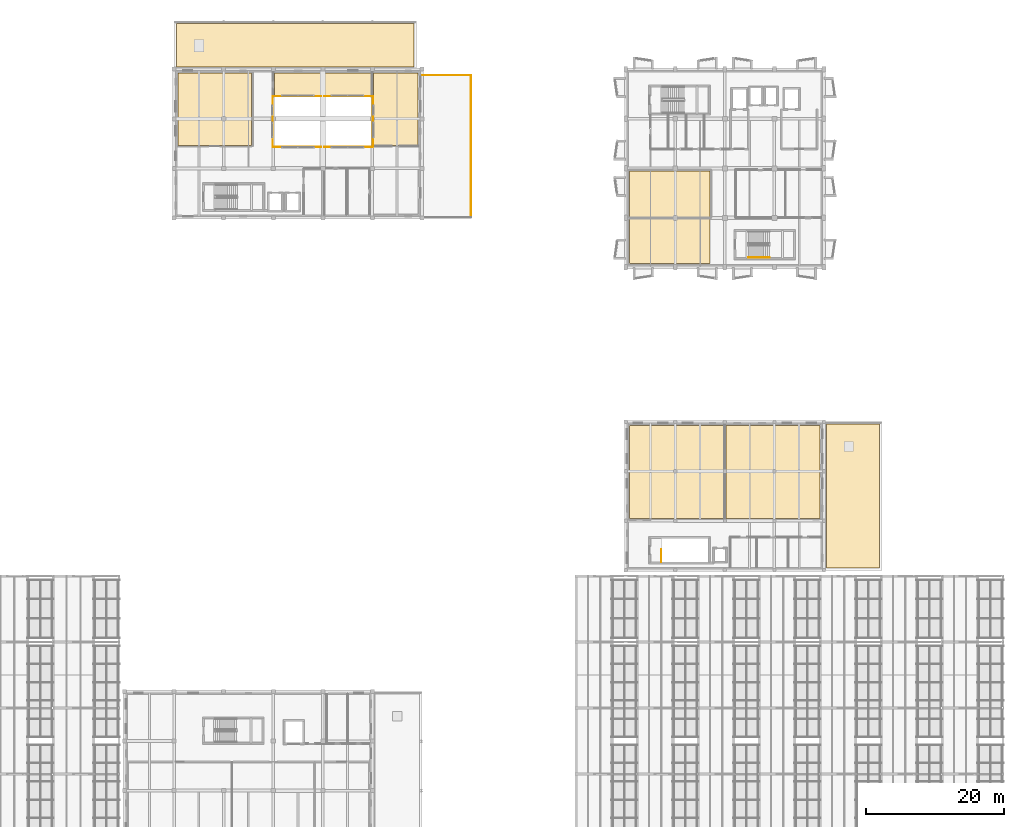
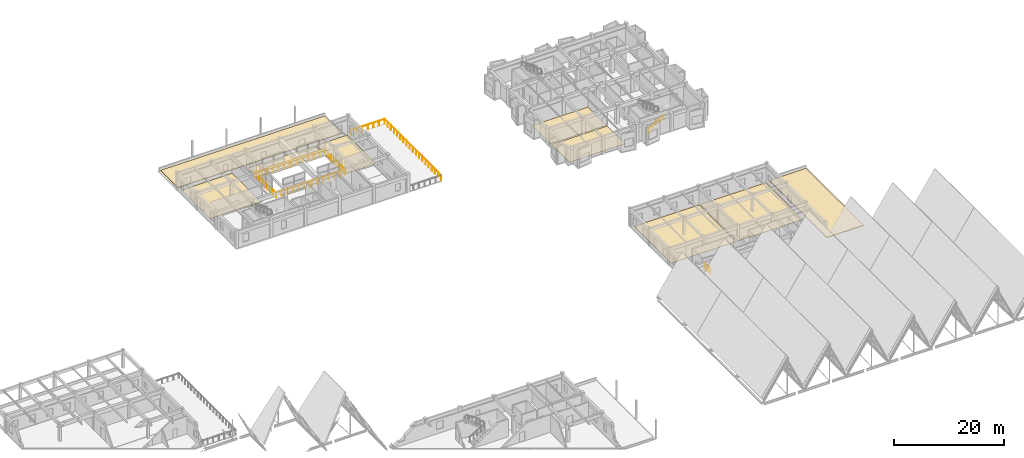
# One storey, part 98 of 99: 10 railings, 9 coverings.
"""IFC4 building model written with IfcOpenShell, lengths in metres."""

from ifc_helpers import new_model, si_unit, direction, frame, origin, origin_2d, place, context, subcontext, project, spatial, polyline, circle, outline, extrude, material, layer, layer_set, type_object, element, save


model = new_model("IFC4")

# Units and contexts
model_context = context("Model", 3, precision=1e-05, world=origin(), true_north=direction((0.0, 1.0)))
body_context = subcontext(model_context, "Body", "Model", "MODEL_VIEW")
ifc_project = project(units=[si_unit("LENGTHUNIT", "METRE"), si_unit("AREAUNIT", "SQUARE_METRE"), si_unit("VOLUMEUNIT", "CUBIC_METRE"), si_unit("PLANEANGLEUNIT", "RADIAN"), si_unit("MASSUNIT", "GRAM", prefix="KILO")], contexts=[model_context])

# Site, building, storey
site_placement = place(None, origin())
site = spatial("IfcSite", under=ifc_project, at=site_placement, CompositionType="ELEMENT")
building_placement = place(site_placement, origin())
building = spatial("IfcBuilding", under=site, at=building_placement, Name="Bramveld Media Centre", CompositionType="ELEMENT")
storey_placement = place(building_placement, frame((0.0, 0.0, 13.800048828125)))
storey = spatial("IfcBuildingStorey", under=building, at=storey_placement, Name="L03", CompositionType="ELEMENT", Elevation=13.800048828125)

# Coverings
ifc_material_1 = material(Name="Floating acoustic screed with smoked European oak studio flooring")
ifc_layer_1 = layer(ifc_material_1, 0.06494140625)
ifc_layer_set_1 = layer_set([ifc_layer_1], Name="Floating acoustic screed with smoked European oak studio flooring")
covering_type_1 = type_object("IfcCoveringType", Name="COV-FLOOR-01", PredefinedType="FLOORING", material=ifc_layer_set_1)
covering_1_placement = place(storey_placement, origin())
element("IfcCovering", 1, at=covering_1_placement, inside=storey, type_object=covering_type_1, Name="Documentary Production Studio B finish flooring", PredefinedType="FLOORING", context=body_context, shape_type="SweptSolid", body=[
    extrude(outline(polyline([(145.75, 46.75), (159.449951171875, 46.75), (159.449951171875, 60.25), (145.75, 60.25), (145.75, 46.75)])), origin(), (0.0, 0.0, 1.0), 0.06494140625),
])
covering_2_placement = place(storey_placement, origin())
element("IfcCovering", 2, at=covering_2_placement, inside=storey, type_object=covering_type_1, Name="North Atrium Overlook Gallery finish flooring", PredefinedType="FLOORING", context=body_context, shape_type="SweptSolid", body=[
    extrude(outline(polyline([(80.14990234375, 108.14990234375), (94.25, 108.14990234375), (94.25, 111.449951171875), (80.14990234375, 111.449951171875), (80.14990234375, 108.14990234375)])), origin(), (0.0, 0.0, 1.0), 0.06494140625),
])
ifc_material_2 = material(Name="Honed Belgian bluestone (petit granit) public concourse flooring", Category="masonry")
ifc_layer_2 = layer(ifc_material_2, 0.050048828125)
ifc_layer_set_2 = layer_set([ifc_layer_2], Name="Honed Belgian bluestone (petit granit) public concourse flooring")
covering_type_2 = type_object("IfcCoveringType", Name="COV-FLOOR-02", PredefinedType="FLOORING", material=ifc_layer_set_2)
covering_3_placement = place(storey_placement, origin())
element("IfcCovering", 3, at=covering_3_placement, inside=storey, type_object=covering_type_2, Name="Media Conservation Framing Studio finish flooring", PredefinedType="FLOORING", context=body_context, shape_type="SweptSolid", body=[
    extrude(outline(polyline([(94.550048828125, 100.949951171875), (101.050048828125, 100.949951171875), (101.050048828125, 111.449951171875), (94.550048828125, 111.449951171875), (94.550048828125, 100.949951171875)])), origin(), (0.0, 0.0, 1.0), 0.050048828125),
])
covering_4_placement = place(storey_placement, origin())
element("IfcCovering", 4, at=covering_4_placement, inside=storey, type_object=covering_type_2, Name="Co-Production Pitch Circulation Lobby finish flooring", PredefinedType="FLOORING", context=body_context, shape_type="SweptSolid", body=[
    extrude(outline(polyline([(131.75, 83.75), (143.449951171875, 83.75), (143.449951171875, 90.25), (131.75, 90.25), (131.75, 83.75)])), origin(), (0.0, 0.0, 1.0), 0.050048828125),
])
ifc_material_3 = material(Name="Anti-static acoustic linoleum editing & vault flooring")
ifc_layer_3 = layer(ifc_material_3, 0.0400390625)
ifc_layer_set_3 = layer_set([ifc_layer_3], Name="Anti-static acoustic linoleum editing & vault flooring")
covering_type_3 = type_object("IfcCoveringType", Name="COV-FLOOR-03", PredefinedType="FLOORING", material=ifc_layer_set_3)
covering_5_placement = place(storey_placement, origin())
element("IfcCovering", 5, at=covering_5_placement, inside=storey, type_object=covering_type_3, Name="Artist-in-Residence Editing Studio A finish flooring", PredefinedType="FLOORING", context=body_context, shape_type="SweptSolid", body=[
    extrude(outline(polyline([(131.75, 46.75), (145.449951171875, 46.75), (145.449951171875, 60.25), (131.75, 60.25), (131.75, 46.75)])), origin(), (0.0, 0.0, 1.0), 0.0400390625),
])
covering_6_placement = place(storey_placement, origin())
element("IfcCovering", 6, at=covering_6_placement, inside=storey, type_object=covering_type_3, Name="Temporary Media Biennale Gallery finish flooring", PredefinedType="FLOORING", context=body_context, shape_type="SweptSolid", body=[
    extrude(outline(polyline([(66.14990234375, 100.949951171875), (76.85009765625, 100.949951171875), (76.85009765625, 111.449951171875), (66.14990234375, 111.449951171875), (66.14990234375, 100.949951171875)])), origin(), (0.0, 0.0, 1.0), 0.0400390625),
])
covering_7_placement = place(storey_placement, origin())
element("IfcCovering", 7, at=covering_7_placement, inside=storey, type_object=covering_type_3, Name="Brussels Regional Media Incubator finish flooring", PredefinedType="FLOORING", context=body_context, shape_type="SweptSolid", body=[
    extrude(outline(polyline([(131.75, 90.550048828125), (143.449951171875, 90.550048828125), (143.449951171875, 97.25), (131.75, 97.25), (131.75, 90.550048828125)])), origin(), (0.0, 0.0, 1.0), 0.0400390625),
])
ifc_material_4 = material(Name="Vegetated extensive green-roof substrate and EPDM membrane")
ifc_layer_4 = layer(ifc_material_4, 0.139892578125)
ifc_layer_set_4 = layer_set([ifc_layer_4], Name="Vegetated extensive green-roof substrate and EPDM membrane")
covering_type_4 = type_object("IfcCoveringType", Name="COV-ROOF-GREEN", PredefinedType="ROOFING", material=ifc_layer_set_4)
covering_8_placement = place(storey_placement, origin())
element("IfcCovering", 8, at=covering_8_placement, inside=storey, type_object=covering_type_4, Name="V4 L03 vegetated green roof covering", PredefinedType="ROOFING", context=body_context, shape_type="SweptSolid", body=[
    extrude(outline(polyline([(160.35009765625, 39.550048828125), (168.050048828125, 39.550048828125), (168.050048828125, 60.449951171875), (160.35009765625, 60.449951171875), (160.35009765625, 39.550048828125)])), origin(), (0.0, 0.0, 1.0), 0.139892578125),
])
covering_9_placement = place(storey_placement, origin())
element("IfcCovering", 9, at=covering_9_placement, inside=storey, type_object=covering_type_4, Name="V6 L03 vegetated green roof covering", PredefinedType="ROOFING", context=body_context, shape_type="SweptSolid", body=[
    extrude(outline(polyline([(65.949951171875, 112.35009765625), (100.449951171875, 112.35009765625), (100.449951171875, 118.64990234375), (65.949951171875, 118.64990234375), (65.949951171875, 112.35009765625)])), origin(), (0.0, 0.0, 1.0), 0.139892578125),
])

# Railings
ifc_material_5 = material(Name="Laminated acoustic glass & bronze steel atrium balustrade", Category="steel")
railing_type_1 = type_object("IfcRailingType", Name="RAIL-ATRIUM-1180", PredefinedType="BALUSTRADE", material=ifc_material_5)
for number, where, name in (
    (10, (79.919921875, 100.719970703125, 0.0), "V6 L03 atrium edge balustrade S1"),
    (11, (87.419921875, 100.719970703125, 0.0), "V6 L03 atrium edge balustrade S2"),
    (12, (79.919921875, 108.080078125, 0.0), "V6 L03 atrium edge balustrade N1"),
    (13, (87.419921875, 108.080078125, 0.0), "V6 L03 atrium edge balustrade N2"),
):
    element("IfcRailing", number, at=place(storey_placement, frame(where)), inside=storey, type_object=railing_type_1, Name=name, PredefinedType="BALUSTRADE", context=body_context, shape_type="SweptSolid", body=[
        extrude(circle(Radius=0.02392578125, at=origin_2d()), frame((0.0, 0.0, 1.15576171875), z_axis=(1.0, 0.0, 0.0), x_axis=(0.0, 1.0, 0.0)), (0.0, 0.0, 1.0), 7.06005859375),
        extrude(circle(Radius=0.02099609375, at=origin_2d()), origin(), (0.0, 0.0, 1.0), 1.1318359375),
        extrude(circle(Radius=0.02099609375, at=origin_2d()), frame((1.1767578125, 0.0, 0.0)), (0.0, 0.0, 1.0), 1.1318359375),
        extrude(circle(Radius=0.02099609375, at=origin_2d()), frame((2.353271484375, 0.0, 0.0)), (0.0, 0.0, 1.0), 1.1318359375),
        extrude(circle(Radius=0.02099609375, at=origin_2d()), frame((3.530029296875, 0.0, 0.0)), (0.0, 0.0, 1.0), 1.1318359375),
        extrude(circle(Radius=0.02099609375, at=origin_2d()), frame((4.706787109375, 0.0, 0.0)), (0.0, 0.0, 1.0), 1.1318359375),
        extrude(circle(Radius=0.02099609375, at=origin_2d()), frame((5.88330078125, 0.0, 0.0)), (0.0, 0.0, 1.0), 1.1318359375),
        extrude(circle(Radius=0.02099609375, at=origin_2d()), frame((7.06005859375, 0.0, 0.0)), (0.0, 0.0, 1.0), 1.1318359375),
    ])
for number, where, name in (
    (14, (79.919921875, 100.719970703125, 0.0), "V6 L03 atrium edge balustrade W"),
    (15, (94.47998046875, 100.719970703125, 0.0), "V6 L03 atrium edge balustrade E"),
):
    element("IfcRailing", number, at=place(storey_placement, frame(where)), inside=storey, type_object=railing_type_1, Name=name, PredefinedType="BALUSTRADE", context=body_context, shape_type="SweptSolid", body=[
        extrude(circle(Radius=0.02392578125, at=origin_2d()), frame((0.0, 0.0, 1.15576171875), z_axis=(0.0, 1.0, 0.0), x_axis=(-1.0, 0.0, 0.0)), (0.0, 0.0, 1.0), 7.360107421875),
        extrude(circle(Radius=0.02099609375, at=origin_2d()), origin(), (0.0, 0.0, 1.0), 1.1318359375),
        extrude(circle(Radius=0.02099609375, at=origin_2d()), frame((0.0, 1.051513671875, 0.0)), (0.0, 0.0, 1.0), 1.1318359375),
        extrude(circle(Radius=0.02099609375, at=origin_2d()), frame((0.0, 2.102783203125, 0.0)), (0.0, 0.0, 1.0), 1.1318359375),
        extrude(circle(Radius=0.02099609375, at=origin_2d()), frame((0.0, 3.154296875, 0.0)), (0.0, 0.0, 1.0), 1.1318359375),
        extrude(circle(Radius=0.02099609375, at=origin_2d()), frame((0.0, 4.205810546875, 0.0)), (0.0, 0.0, 1.0), 1.1318359375),
        extrude(circle(Radius=0.02099609375, at=origin_2d()), frame((0.0, 5.25732421875, 0.0)), (0.0, 0.0, 1.0), 1.1318359375),
        extrude(circle(Radius=0.02099609375, at=origin_2d()), frame((0.0, 6.30859375, 0.0)), (0.0, 0.0, 1.0), 1.1318359375),
        extrude(circle(Radius=0.02099609375, at=origin_2d()), frame((0.0, 7.360107421875, 0.0)), (0.0, 0.0, 1.0), 1.1318359375),
    ])
ifc_material_6 = material(Name="Painted galvanized steel stairwell guardrail", Category="steel")
railing_type_2 = type_object("IfcRailingType", Name="RAIL-STAIR-GUARD-1150", PredefinedType="GUARDRAIL", material=ifc_material_6)
railing_1_placement = place(storey_placement, frame((136.35009765625, 40.39990234375, 0.0)))
element("IfcRailing", 16, at=railing_1_placement, inside=storey, type_object=railing_type_2, Name="L03 ST-08 top well guard 1", PredefinedType="GUARDRAIL", context=body_context, shape_type="SweptSolid", body=[
    extrude(circle(Radius=0.02392578125, at=origin_2d()), frame((0.0, 0.0, 1.1259765625), z_axis=(0.0, 1.0, 0.0), x_axis=(-1.0, 0.0, 0.0)), (0.0, 0.0, 1.0), 1.85009765625),
    extrude(circle(Radius=0.02099609375, at=origin_2d()), origin(), (0.0, 0.0, 1.0), 1.101806640625),
    extrude(circle(Radius=0.02099609375, at=origin_2d()), frame((0.0, 0.925048828125, 0.0)), (0.0, 0.0, 1.0), 1.101806640625),
    extrude(circle(Radius=0.02099609375, at=origin_2d()), frame((0.0, 1.85009765625, 0.0)), (0.0, 0.0, 1.0), 1.101806640625),
])
ifc_material_7 = material(Name="Brushed stainless steel tubular stair handrail", Category="steel")
railing_type_3 = type_object("IfcRailingType", Name="RAIL-STAIR-HAND-0920", PredefinedType="HANDRAIL", material=ifc_material_7)
railing_2_placement = place(storey_placement, frame((149.0, 84.64990234375, 0.175048828125)))
element("IfcRailing", 17, at=railing_2_placement, inside=storey, type_object=railing_type_3, Name="L03 ST-02 stair handrail 1", PredefinedType="HANDRAIL", context=body_context, shape_type="SweptSolid", body=[
    extrude(circle(Radius=0.02392578125, at=origin_2d()), frame((0.0, 0.0, 0.8759765625), z_axis=(0.848028513186, 0.0, 0.529950602248), x_axis=(0.0, 1.0, 0.0)), (0.0, 0.0, 1.0), 3.632080078125),
    extrude(circle(Radius=0.02099609375, at=origin_2d()), origin(), (0.0, 0.0, 1.0), 0.851806640625),
    extrude(circle(Radius=0.02099609375, at=origin_2d()), frame((0.77001953125, 0.0, 0.481201171875)), (0.0, 0.0, 1.0), 0.851806640625),
    extrude(circle(Radius=0.02099609375, at=origin_2d()), frame((1.5400390625, 0.0, 0.96240234375)), (0.0, 0.0, 1.0), 0.851806640625),
    extrude(circle(Radius=0.02099609375, at=origin_2d()), frame((2.31005859375, 0.0, 1.443603515625)), (0.0, 0.0, 1.0), 0.851806640625),
    extrude(circle(Radius=0.02099609375, at=origin_2d()), frame((3.080078125, 0.0, 1.9248046875)), (0.0, 0.0, 1.0), 0.851806640625),
])
ifc_material_8 = material(Name="Powder-coated bronze galvanized steel balustrade", Category="steel")
railing_type_4 = type_object("IfcRailingType", Name="RAIL-TERRACE-1150", PredefinedType="GUARDRAIL", material=ifc_material_8)
railing_3_placement = place(storey_placement, frame((108.719970703125, 90.47998046875, 0.0)))
element("IfcRailing", 18, at=railing_3_placement, inside=storey, type_object=railing_type_4, Name="Exhibition Belvedere Terrace E guardrail", PredefinedType="GUARDRAIL", context=body_context, shape_type="SweptSolid", body=[
    extrude(circle(Radius=0.02392578125, at=origin_2d()), frame((0.0, 0.0, 1.1259765625), z_axis=(0.0, 1.0, 0.0), x_axis=(-1.0, 0.0, 0.0)), (0.0, 0.0, 1.0), 20.64013671875),
    extrude(circle(Radius=0.02099609375, at=origin_2d()), origin(), (0.0, 0.0, 1.0), 1.101806640625),
    extrude(circle(Radius=0.02099609375, at=origin_2d()), frame((0.0, 1.146728515625, 0.0)), (0.0, 0.0, 1.0), 1.101806640625),
    extrude(circle(Radius=0.02099609375, at=origin_2d()), frame((0.0, 2.29345703125, 0.0)), (0.0, 0.0, 1.0), 1.101806640625),
    extrude(circle(Radius=0.02099609375, at=origin_2d()), frame((0.0, 3.43994140625, 0.0)), (0.0, 0.0, 1.0), 1.101806640625),
    extrude(circle(Radius=0.02099609375, at=origin_2d()), frame((0.0, 4.586669921875, 0.0)), (0.0, 0.0, 1.0), 1.101806640625),
    extrude(circle(Radius=0.02099609375, at=origin_2d()), frame((0.0, 5.7333984375, 0.0)), (0.0, 0.0, 1.0), 1.101806640625),
    extrude(circle(Radius=0.02099609375, at=origin_2d()), frame((0.0, 6.880126953125, 0.0)), (0.0, 0.0, 1.0), 1.101806640625),
    extrude(circle(Radius=0.02099609375, at=origin_2d()), frame((0.0, 8.026611328125, 0.0)), (0.0, 0.0, 1.0), 1.101806640625),
    extrude(circle(Radius=0.02099609375, at=origin_2d()), frame((0.0, 9.17333984375, 0.0)), (0.0, 0.0, 1.0), 1.101806640625),
    extrude(circle(Radius=0.02099609375, at=origin_2d()), frame((0.0, 10.320068359375, 0.0)), (0.0, 0.0, 1.0), 1.101806640625),
    extrude(circle(Radius=0.02099609375, at=origin_2d()), frame((0.0, 11.466796875, 0.0)), (0.0, 0.0, 1.0), 1.101806640625),
    extrude(circle(Radius=0.02099609375, at=origin_2d()), frame((0.0, 12.613525390625, 0.0)), (0.0, 0.0, 1.0), 1.101806640625),
    extrude(circle(Radius=0.02099609375, at=origin_2d()), frame((0.0, 13.760009765625, 0.0)), (0.0, 0.0, 1.0), 1.101806640625),
    extrude(circle(Radius=0.02099609375, at=origin_2d()), frame((0.0, 14.90673828125, 0.0)), (0.0, 0.0, 1.0), 1.101806640625),
    extrude(circle(Radius=0.02099609375, at=origin_2d()), frame((0.0, 16.053466796875, 0.0)), (0.0, 0.0, 1.0), 1.101806640625),
    extrude(circle(Radius=0.02099609375, at=origin_2d()), frame((0.0, 17.2001953125, 0.0)), (0.0, 0.0, 1.0), 1.101806640625),
    extrude(circle(Radius=0.02099609375, at=origin_2d()), frame((0.0, 18.3466796875, 0.0)), (0.0, 0.0, 1.0), 1.101806640625),
    extrude(circle(Radius=0.02099609375, at=origin_2d()), frame((0.0, 19.493408203125, 0.0)), (0.0, 0.0, 1.0), 1.101806640625),
    extrude(circle(Radius=0.02099609375, at=origin_2d()), frame((0.0, 20.64013671875, 0.0)), (0.0, 0.0, 1.0), 1.101806640625),
])
railing_4_placement = place(storey_placement, frame((108.719970703125, 111.1201171875, 0.0)))
element("IfcRailing", 19, at=railing_4_placement, inside=storey, type_object=railing_type_4, Name="Exhibition Belvedere Terrace N guardrail", PredefinedType="GUARDRAIL", context=body_context, shape_type="SweptSolid", body=[
    extrude(circle(Radius=0.02392578125, at=origin_2d()), frame((0.0, 0.0, 1.1259765625), z_axis=(-1.0, 0.0, 0.0), x_axis=(0.0, -1.0, 0.0)), (0.0, 0.0, 1.0), 7.0400390625),
    extrude(circle(Radius=0.02099609375, at=origin_2d()), origin(), (0.0, 0.0, 1.0), 1.101806640625),
    extrude(circle(Radius=0.02099609375, at=origin_2d()), frame((-1.17333984375, 0.0, 0.0)), (0.0, 0.0, 1.0), 1.101806640625),
    extrude(circle(Radius=0.02099609375, at=origin_2d()), frame((-2.3466796875, 0.0, 0.0)), (0.0, 0.0, 1.0), 1.101806640625),
    extrude(circle(Radius=0.02099609375, at=origin_2d()), frame((-3.52001953125, 0.0, 0.0)), (0.0, 0.0, 1.0), 1.101806640625),
    extrude(circle(Radius=0.02099609375, at=origin_2d()), frame((-4.693359375, 0.0, 0.0)), (0.0, 0.0, 1.0), 1.101806640625),
    extrude(circle(Radius=0.02099609375, at=origin_2d()), frame((-5.86669921875, 0.0, 0.0)), (0.0, 0.0, 1.0), 1.101806640625),
    extrude(circle(Radius=0.02099609375, at=origin_2d()), frame((-7.0400390625, 0.0, 0.0)), (0.0, 0.0, 1.0), 1.101806640625),
])

save(model, "model.ifc")
